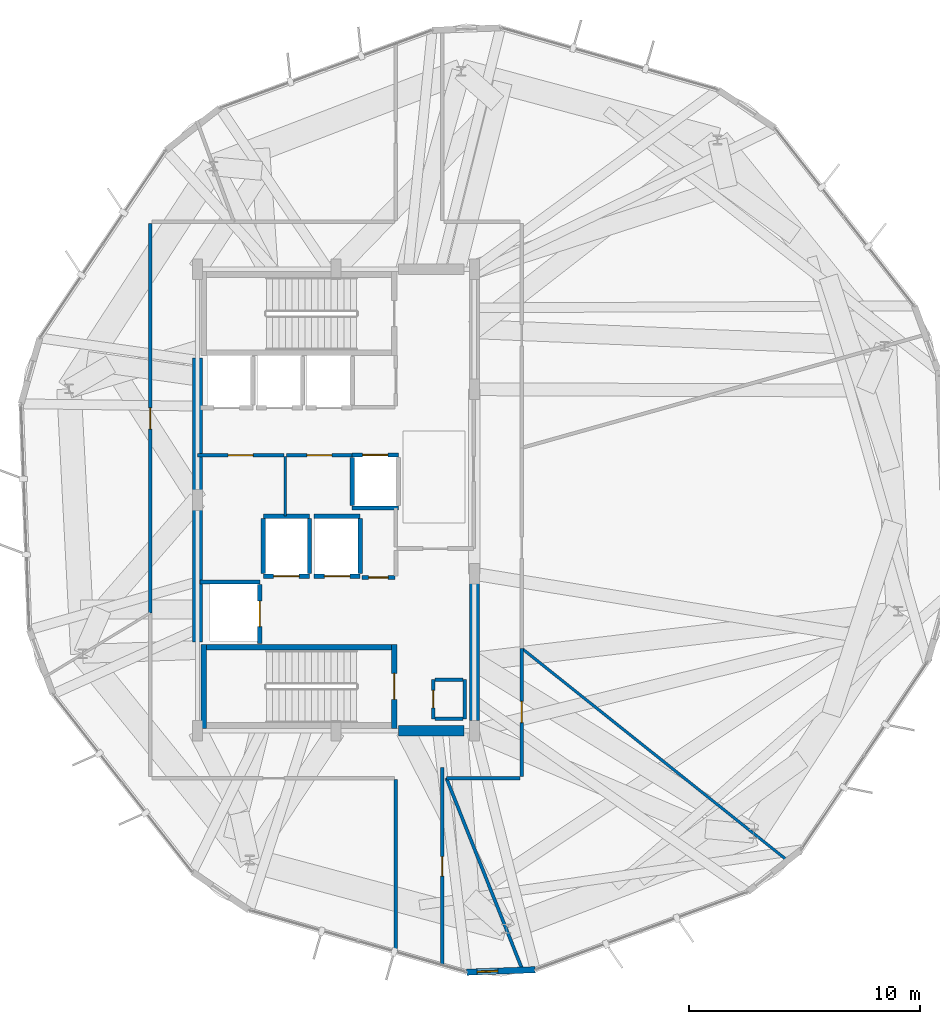
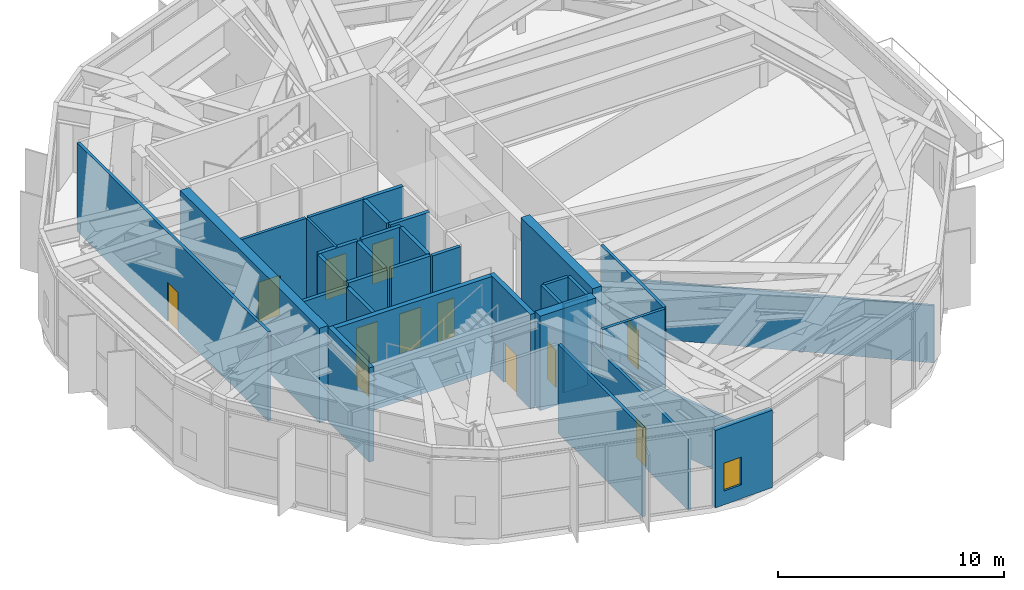
# One storey, part 25 of 30: 34 walls, 12 doors, 1 window, 13 openings.
"""IFC4 building model written with IfcOpenShell, lengths in metres."""

from ifc_helpers import new_model, si_unit, direction, frame, frame_2d, origin, place, context, subcontext, project, spatial, rectangle, extrude, material, layer, layer_set, type_object, element, fill, save


model = new_model("IFC4")

# Units and contexts
model_context = context("Model", 3, precision=1e-05, world=origin(), true_north=direction((0.0, 1.0)))
body_context = subcontext(model_context, "Body", "Model", "MODEL_VIEW")
ifc_project = project(units=[si_unit("LENGTHUNIT", "METRE"), si_unit("AREAUNIT", "SQUARE_METRE"), si_unit("VOLUMEUNIT", "CUBIC_METRE"), si_unit("PLANEANGLEUNIT", "RADIAN"), si_unit("MASSUNIT", "GRAM", prefix="KILO")], contexts=[model_context])

# Site, building, storey
site_placement = place(None, origin())
site = spatial("IfcSite", under=ifc_project, at=site_placement, CompositionType="ELEMENT")
building_placement = place(site_placement, origin())
building = spatial("IfcBuilding", under=site, at=building_placement, Name="Soratama Intermodal Tower", CompositionType="ELEMENT")
storey_placement = place(building_placement, frame((0.0, 0.0, 237.39990234375)))
storey = spatial("IfcBuildingStorey", under=building, at=storey_placement, Name="L60", CompositionType="ELEMENT", Elevation=237.39990234375)

# Wall, opening, window
ifc_material_1 = material(Name="Concrete f'c 42 MPa", Category="concrete")
ifc_layer_1 = layer(ifc_material_1, 0.27001953125)
ifc_layer_set_1 = layer_set([ifc_layer_1], Name="Concrete f'c 42 MPa")
wall_type_1 = type_object("IfcWallType", Name="EW-CRN-270", PredefinedType="SOLIDWALL", material=ifc_layer_set_1)
wall_1_placement = place(storey_placement, frame((44.265869140625, 4.541259765625, 0.0), z_axis=(0.0, 0.0, 1.0), x_axis=(0.999329187927, 0.036622044686, 0.0)))
wall_1 = element("IfcWall", 1, at=wall_1_placement, inside=storey, type_object=wall_type_1, Name="L60 Corner Closure Wall 06", PredefinedType="SOLIDWALL", context=body_context, shape_type="SweptSolid", body=[
    extrude(rectangle(XDim=2.966552734375, YDim=0.27001953125, at=frame_2d((1.4833984375, 0.0))), origin(), (0.0, 0.0, 1.0), 4.17919921875),
])
opening_1_placement = place(wall_1_placement, frame((0.449951171875, 0.0, 0.75)))
opening_1 = element("IfcOpeningElement", 2, at=opening_1_placement, cuts=wall_1, Name="Opening WN-6", PredefinedType="OPENING", context=body_context, shape_type="SweptSolid", body=[
    extrude(rectangle(XDim=0.89990234375, YDim=1.5, at=frame_2d((0.449951171875, 0.75))), frame((0.0, 0.14501953125, 0.0), z_axis=(0.0, -1.0, 0.0), x_axis=(1.0, 0.0, 0.0)), (0.0, 0.0, 1.0), 0.2900390625),
])
ifc_material_2 = material(Name="Double-glazed aluminium window", Category="aluminium")
window_type = type_object("IfcWindowType", Name="WN-FAC-900", PartitioningType="SINGLE_PANEL", PredefinedType="WINDOW", material=ifc_material_2)
window_placement = place(opening_1_placement, origin())
window = element("IfcWindow", 3, at=window_placement, inside=storey, type_object=window_type, Name="L60 Corner Window 06", OverallHeight=1.5, OverallWidth=0.89990234375, PartitioningType="SINGLE_PANEL", PredefinedType="WINDOW", context=body_context, shape_type="SweptSolid", body=[
    extrude(rectangle(XDim=0.89990234375, YDim=1.5, at=frame_2d((0.449951171875, 0.75))), frame((0.0, 0.030029296875, 0.0), z_axis=(0.0, -1.0, 0.0), x_axis=(1.0, 0.0, 0.0)), (0.0, 0.0, 1.0), 0.06005859375),
])
fill(opening_1, window)

# Walls
ifc_material_3 = material(Name="Fire-rated gypsum stud partition", Category="concrete")
ifc_layer_2 = layer(ifc_material_3, 0.14990234375)
ifc_layer_set_2 = layer_set([ifc_layer_2], Name="Fire-rated gypsum stud partition")
wall_type_2 = type_object("IfcWallType", Name="IW-PART-R150", PredefinedType="PARTITIONING", material=ifc_layer_set_2)
for number, where, z_axis, x_axis, name in (
    (4, (42.89990234375, 15.52001953125, 0.0), (0.0, 0.0, 1.0), (1.0, 0.0, 0.0), "L60 Riser Wall S"),
    (5, (42.89990234375, 17.219970703125, 0.0), (0.0, 0.0, 1.0), (1.0, 0.0, 0.0), "L60 Riser Wall N"),
):
    element("IfcWall", number, at=place(storey_placement, frame(where, z_axis=z_axis, x_axis=x_axis)), inside=storey, type_object=wall_type_2, Name=name, PredefinedType="PARTITIONING", context=body_context, shape_type="SweptSolid", body=[
        extrude(rectangle(XDim=1.2001953125, YDim=0.14990234375, at=frame_2d((0.60009765625, 0.0))), origin(), (0.0, 0.0, 1.0), 4.800048828125),
    ])
wall_2_placement = place(storey_placement, frame((44.179931640625, 15.52001953125, 0.0), z_axis=(0.0, 0.0, 1.0), x_axis=(0.0, 1.0, 0.0)))
element("IfcWall", 6, at=wall_2_placement, inside=storey, type_object=wall_type_2, Name="L60 Riser Wall E", PredefinedType="PARTITIONING", context=body_context, shape_type="SweptSolid", body=[
    extrude(rectangle(XDim=1.699951171875, YDim=0.14990234375, at=frame_2d((0.85009765625, 0.0))), origin(), (0.0, 0.0, 1.0), 4.800048828125),
])

# Wall, opening, door
wall_3_placement = place(storey_placement, frame((42.820068359375, 15.52001953125, 0.0), z_axis=(0.0, 0.0, 1.0), x_axis=(0.0, 1.0, 0.0)))
wall_3 = element("IfcWall", 7, at=wall_3_placement, inside=storey, type_object=wall_type_2, Name="L60 Riser Front Wall", PredefinedType="PARTITIONING", context=body_context, shape_type="SweptSolid", body=[
    extrude(rectangle(XDim=1.699951171875, YDim=0.14990234375, at=frame_2d((0.85009765625, 0.0))), origin(), (0.0, 0.0, 1.0), 4.800048828125),
])
opening_2_placement = place(wall_3_placement, frame((0.469970703125, 0.0, 0.0)))
opening_2 = element("IfcOpeningElement", 8, at=opening_2_placement, cuts=wall_3, Name="Opening TD-1", PredefinedType="OPENING", context=body_context, shape_type="SweptSolid", body=[
    extrude(rectangle(XDim=0.760009765625, YDim=2.0, at=frame_2d((0.3798828125, 1.0))), frame((0.0, 0.0849609375, 0.0), z_axis=(0.0, -1.0, 0.0), x_axis=(1.0, 0.0, 0.0)), (0.0, 0.0, 1.0), 0.169921875),
])
ifc_material_4 = material(Name="Steel fire door", Category="steel")
door_type_1 = type_object("IfcDoorType", Name="DR-RISER-TRAP", OperationType="NOTDEFINED", PredefinedType="TRAPDOOR", material=ifc_material_4)
door_1_placement = place(opening_2_placement, origin())
door_1 = element("IfcDoor", 9, at=door_1_placement, inside=storey, type_object=door_type_1, Name="L60 Riser Inspection Door", OperationType="SINGLE_SWING_LEFT", OverallHeight=2.0, OverallWidth=0.760009765625, PredefinedType="TRAPDOOR", context=body_context, shape_type="SweptSolid", body=[
    extrude(rectangle(XDim=0.760009765625, YDim=2.0, at=frame_2d((0.3798828125, 1.0))), frame((0.0, 0.02490234375, 0.0), z_axis=(0.0, -1.0, 0.0), x_axis=(1.0, 0.0, 0.0)), (0.0, 0.0, 1.0), 0.050048828125),
])
fill(opening_2, door_1)

wall_4_placement = place(storey_placement, frame((30.550048828125, 20.10595703125, 0.0), z_axis=(0.0, 0.0, 1.0), x_axis=(0.0, 1.0, 0.0)))
wall_4 = element("IfcWall", 10, at=wall_4_placement, inside=storey, type_object=wall_type_2, Name="L60 Partition W-L60-TP002", PredefinedType="PARTITIONING", context=body_context, shape_type="SweptSolid", body=[
    extrude(rectangle(XDim=16.8740234375, YDim=0.14990234375, at=frame_2d((8.43701171875, 0.0))), origin(), (0.0, 0.0, 1.0), 4.800048828125),
])
opening_3_placement = place(wall_4_placement, frame((7.9619140625, 0.0, 0.0)))
opening_3 = element("IfcOpeningElement", 11, at=opening_3_placement, cuts=wall_4, Name="Opening ID-6", PredefinedType="OPENING", context=body_context, shape_type="SweptSolid", body=[
    extrude(rectangle(XDim=0.919921875, YDim=2.1201171875, at=frame_2d((0.4599609375, 1.06005859375))), frame((0.0, 0.0849609375, 0.0), z_axis=(0.0, -1.0, 0.0), x_axis=(1.0, 0.0, 0.0)), (0.0, 0.0, 1.0), 0.169921875),
])
ifc_material_5 = material(Name="Solid hardwood acoustic door", Category="wood")
door_type_2 = type_object("IfcDoorType", Name="DR-ROOM-920", OperationType="NOTDEFINED", PredefinedType="DOOR", material=ifc_material_5)
door_2_placement = place(opening_3_placement, origin())
door_2 = element("IfcDoor", 12, at=door_2_placement, inside=storey, type_object=door_type_2, Name="L60 Door D-L60-TP001", OperationType="SINGLE_SWING_RIGHT", OverallHeight=2.1201171875, OverallWidth=0.919921875, PredefinedType="DOOR", context=body_context, shape_type="SweptSolid", body=[
    extrude(rectangle(XDim=0.919921875, YDim=2.1201171875, at=frame_2d((0.4599609375, 1.06005859375))), frame((0.0, 0.02490234375, 0.0), z_axis=(0.0, -1.0, 0.0), x_axis=(1.0, 0.0, 0.0)), (0.0, 0.0, 1.0), 0.050048828125),
])
fill(opening_3, door_2)

# Wall
wall_5_placement = place(storey_placement, frame((41.199951171875, 5.4150390625, 0.0), z_axis=(0.0, 0.0, 1.0), x_axis=(0.0, 1.0, 0.0)))
element("IfcWall", 13, at=wall_5_placement, inside=storey, type_object=wall_type_2, Name="L60 Partition W-L60-TP010", PredefinedType="PARTITIONING", context=body_context, shape_type="SweptSolid", body=[
    extrude(rectangle(XDim=7.46484375, YDim=0.14990234375, at=frame_2d((3.732421875, 0.0))), origin(), (0.0, 0.0, 1.0), 4.800048828125),
])

# Wall, opening, door
wall_6_placement = place(storey_placement, frame((46.64990234375, 18.572998046875, 0.0), z_axis=(0.0, 0.0, 1.0), x_axis=(0.0, -1.0, 0.0)))
wall_6 = element("IfcWall", 14, at=wall_6_placement, inside=storey, type_object=wall_type_2, Name="L60 Partition W-L60-TP014", PredefinedType="PARTITIONING", context=body_context, shape_type="SweptSolid", body=[
    extrude(rectangle(XDim=5.552978515625, YDim=0.14990234375, at=frame_2d((2.7763671875, 0.0))), origin(), (0.0, 0.0, 1.0), 4.800048828125),
])
opening_4_placement = place(wall_6_placement, frame((2.302001953125, 0.0, 0.0)))
opening_4 = element("IfcOpeningElement", 15, at=opening_4_placement, cuts=wall_6, Name="Opening ID-6", PredefinedType="OPENING", context=body_context, shape_type="SweptSolid", body=[
    extrude(rectangle(XDim=0.919921875, YDim=2.1201171875, at=frame_2d((0.4599609375, 1.06005859375))), frame((0.0, 0.0849609375, 0.0), z_axis=(0.0, -1.0, 0.0), x_axis=(1.0, 0.0, 0.0)), (0.0, 0.0, 1.0), 0.169921875),
])
door_3_placement = place(opening_4_placement, origin())
door_3 = element("IfcDoor", 16, at=door_3_placement, inside=storey, type_object=door_type_2, Name="L60 Door D-L60-TP007", OperationType="SINGLE_SWING_RIGHT", OverallHeight=2.1201171875, OverallWidth=0.919921875, PredefinedType="DOOR", context=body_context, shape_type="SweptSolid", body=[
    extrude(rectangle(XDim=0.919921875, YDim=2.1201171875, at=frame_2d((0.4599609375, 1.06005859375))), frame((0.0, 0.02490234375, 0.0), z_axis=(0.0, -1.0, 0.0), x_axis=(1.0, 0.0, 0.0)), (0.0, 0.0, 1.0), 0.050048828125),
])
fill(opening_4, door_3)

wall_7_placement = place(storey_placement, frame((36.340087890625, 26.93994140625, 0.0), z_axis=(0.0, 0.0, 1.0), x_axis=(-1.0, 0.0, 0.0)))
wall_7 = element("IfcWall", 17, at=wall_7_placement, inside=storey, type_object=wall_type_2, Name="L60 Partition W-L60-TP017", PredefinedType="PARTITIONING", context=body_context, shape_type="SweptSolid", body=[
    extrude(rectangle(XDim=3.739990234375, YDim=0.14990234375, at=frame_2d((1.8701171875, 0.0))), origin(), (0.0, 0.0, 1.0), 4.800048828125),
])
opening_5_placement = place(wall_7_placement, frame((1.330078125, 0.0, 0.0)))
opening_5 = element("IfcOpeningElement", 18, at=opening_5_placement, cuts=wall_7, Name="Opening ID-1", PredefinedType="OPENING", context=body_context, shape_type="SweptSolid", body=[
    extrude(rectangle(XDim=1.080078125, YDim=2.14990234375, at=frame_2d((0.5400390625, 1.074951171875))), frame((0.0, 0.0849609375, 0.0), z_axis=(0.0, -1.0, 0.0), x_axis=(1.0, 0.0, 0.0)), (0.0, 0.0, 1.0), 0.169921875),
])
ifc_material_6 = material(Name="Solid hardwood acoustic door", Category="wood")
door_type_3 = type_object("IfcDoorType", Name="DR-LOB-FD60", OperationType="NOTDEFINED", PredefinedType="DOOR", material=ifc_material_6)
door_4_placement = place(opening_5_placement, origin())
door_4 = element("IfcDoor", 19, at=door_4_placement, inside=storey, type_object=door_type_3, Name="L60 Door D-L60-TP008", OperationType="SINGLE_SWING_LEFT", OverallHeight=2.14990234375, OverallWidth=1.080078125, PredefinedType="DOOR", context=body_context, shape_type="SweptSolid", body=[
    extrude(rectangle(XDim=1.080078125, YDim=2.14990234375, at=frame_2d((0.5400390625, 1.074951171875))), frame((0.0, 0.02490234375, 0.0), z_axis=(0.0, -1.0, 0.0), x_axis=(1.0, 0.0, 0.0)), (0.0, 0.0, 1.0), 0.050048828125),
])
fill(opening_5, door_4)

# Wall
wall_8_placement = place(storey_placement, frame((46.580078125, 12.949951171875, 0.0), z_axis=(0.0, 0.0, 1.0), x_axis=(-1.0, 0.0, 0.0)))
element("IfcWall", 20, at=wall_8_placement, inside=storey, type_object=wall_type_2, Name="L60 Partition W-L60-TP021", PredefinedType="PARTITIONING", context=body_context, shape_type="SweptSolid", body=[
    extrude(rectangle(XDim=3.197021484375, YDim=0.14990234375, at=frame_2d((1.5986328125, 0.0))), origin(), (0.0, 0.0, 1.0), 4.800048828125),
])

# Wall, opening, door
wall_9_placement = place(storey_placement, frame((39.300048828125, 26.93994140625, 0.0), z_axis=(0.0, 0.0, 1.0), x_axis=(-1.0, 0.0, 0.0)))
wall_9 = element("IfcWall", 21, at=wall_9_placement, inside=storey, type_object=wall_type_2, Name="L60 Partition W-L60-TP022", PredefinedType="PARTITIONING", context=body_context, shape_type="SweptSolid", body=[
    extrude(rectangle(XDim=2.840087890625, YDim=0.14990234375, at=frame_2d((1.419921875, 0.0))), origin(), (0.0, 0.0, 1.0), 4.800048828125),
])
opening_6_placement = place(wall_9_placement, frame((0.8798828125, 0.0, 0.0)))
opening_6 = element("IfcOpeningElement", 22, at=opening_6_placement, cuts=wall_9, Name="Opening ID-1", PredefinedType="OPENING", context=body_context, shape_type="SweptSolid", body=[
    extrude(rectangle(XDim=1.080078125, YDim=2.14990234375, at=frame_2d((0.5400390625, 1.074951171875))), frame((0.0, 0.0849609375, 0.0), z_axis=(0.0, -1.0, 0.0), x_axis=(1.0, 0.0, 0.0)), (0.0, 0.0, 1.0), 0.169921875),
])
door_5_placement = place(opening_6_placement, origin())
door_5 = element("IfcDoor", 23, at=door_5_placement, inside=storey, type_object=door_type_3, Name="L60 Door D-L60-TP010", OperationType="SINGLE_SWING_LEFT", OverallHeight=2.14990234375, OverallWidth=1.080078125, PredefinedType="DOOR", context=body_context, shape_type="SweptSolid", body=[
    extrude(rectangle(XDim=1.080078125, YDim=2.14990234375, at=frame_2d((0.5400390625, 1.074951171875))), frame((0.0, 0.02490234375, 0.0), z_axis=(0.0, -1.0, 0.0), x_axis=(1.0, 0.0, 0.0)), (0.0, 0.0, 1.0), 0.050048828125),
])
fill(opening_6, door_5)

wall_10_placement = place(storey_placement, frame((43.199951171875, 13.410888671875, 0.0), z_axis=(0.0, 0.0, 1.0), x_axis=(0.0, -1.0, 0.0)))
wall_10 = element("IfcWall", 24, at=wall_10_placement, inside=storey, type_object=wall_type_2, Name="L60 Partition W-L60-TP029", PredefinedType="PARTITIONING", context=body_context, shape_type="SweptSolid", body=[
    extrude(rectangle(XDim=8.56591796875, YDim=0.14990234375, at=frame_2d((4.282958984375, 0.0))), origin(), (0.0, 0.0, 1.0), 3.85107421875),
])
opening_7_placement = place(wall_10_placement, frame((3.85791015625, 0.0, 0.0)))
opening_7 = element("IfcOpeningElement", 25, at=opening_7_placement, cuts=wall_10, Name="Opening ID-4", PredefinedType="OPENING", context=body_context, shape_type="SweptSolid", body=[
    extrude(rectangle(XDim=0.85009765625, YDim=2.10009765625, at=frame_2d((0.425048828125, 1.050048828125))), frame((0.0, 0.0849609375, 0.0), z_axis=(0.0, -1.0, 0.0), x_axis=(1.0, 0.0, 0.0)), (0.0, 0.0, 1.0), 0.169921875),
])
ifc_material_7 = material(Name="Solid hardwood acoustic door", Category="wood")
door_type_4 = type_object("IfcDoorType", Name="DR-BATH-850", OperationType="NOTDEFINED", PredefinedType="DOOR", material=ifc_material_7)
door_6_placement = place(opening_7_placement, origin())
door_6 = element("IfcDoor", 26, at=door_6_placement, inside=storey, type_object=door_type_4, Name="L60 Door D-L60-TP013", OperationType="SINGLE_SWING_LEFT", OverallHeight=2.10009765625, OverallWidth=0.85009765625, PredefinedType="DOOR", context=body_context, shape_type="SweptSolid", body=[
    extrude(rectangle(XDim=0.85009765625, YDim=2.10009765625, at=frame_2d((0.425048828125, 1.050048828125))), frame((0.0, 0.02490234375, 0.0), z_axis=(0.0, -1.0, 0.0), x_axis=(1.0, 0.0, 0.0)), (0.0, 0.0, 1.0), 0.050048828125),
])
fill(opening_7, door_6)

ifc_material_8 = material(Name="Fire-rated gypsum stud partition", Category="concrete")
ifc_layer_3 = layer(ifc_material_8, 0.169921875)
ifc_layer_set_3 = layer_set([ifc_layer_3], Name="Fire-rated gypsum stud partition")
wall_type_3 = type_object("IfcWallType", Name="IW-PART-R170", PredefinedType="PARTITIONING", material=ifc_layer_set_3)
wall_11_placement = place(storey_placement, frame((39.719970703125, 21.639892578125, 0.0), z_axis=(0.0, 0.0, 1.0), x_axis=(1.0, 0.0, 0.0)))
wall_11 = element("IfcWall", 27, at=wall_11_placement, inside=storey, type_object=wall_type_3, Name="L60 Partition W-L60-TP027", PredefinedType="PARTITIONING", context=body_context, shape_type="SweptSolid", body=[
    extrude(rectangle(XDim=1.43994140625, YDim=0.169921875, at=frame_2d((0.719970703125, 0.0))), origin(), (0.0, 0.0, 1.0), 4.800048828125),
])
opening_8_placement = place(wall_11_placement, frame((0.294921875, 0.0, 0.0)))
opening_8 = element("IfcOpeningElement", 28, at=opening_8_placement, cuts=wall_11, Name="Opening ID-4", PredefinedType="OPENING", context=body_context, shape_type="SweptSolid", body=[
    extrude(rectangle(XDim=0.85009765625, YDim=2.10009765625, at=frame_2d((0.425048828125, 1.050048828125))), frame((0.0, 0.094970703125, 0.0), z_axis=(0.0, -1.0, 0.0), x_axis=(1.0, 0.0, 0.0)), (0.0, 0.0, 1.0), 0.18994140625),
])
door_7_placement = place(opening_8_placement, origin())
door_7 = element("IfcDoor", 29, at=door_7_placement, inside=storey, type_object=door_type_4, Name="L60 Door D-L60-TP012", OperationType="SINGLE_SWING_LEFT", OverallHeight=2.10009765625, OverallWidth=0.85009765625, PredefinedType="DOOR", context=body_context, shape_type="SweptSolid", body=[
    extrude(rectangle(XDim=0.85009765625, YDim=2.10009765625, at=frame_2d((0.425048828125, 1.050048828125))), frame((0.0, 0.02490234375, 0.0), z_axis=(0.0, -1.0, 0.0), x_axis=(1.0, 0.0, 0.0)), (0.0, 0.0, 1.0), 0.050048828125),
])
fill(opening_8, door_7)

# Walls
ifc_material_9 = material(Name="Fire-rated gypsum stud partition", Category="concrete")
ifc_layer_4 = layer(ifc_material_9, 0.1201171875)
ifc_layer_set_4 = layer_set([ifc_layer_4], Name="Fire-rated gypsum stud partition")
wall_type_4 = type_object("IfcWallType", Name="IW-PART-S120", PredefinedType="PARTITIONING", material=ifc_layer_set_4)
wall_12_placement = place(storey_placement, frame((46.64990234375, 18.572998046875, 0.0), z_axis=(0.0, 0.0, 1.0), x_axis=(0.781461641281, -0.623953286078, 0.0)))
element("IfcWall", 30, at=wall_12_placement, inside=storey, type_object=wall_type_4, Name="L60 Partition W-L60-TP003", PredefinedType="PARTITIONING", context=body_context, shape_type="SweptSolid", body=[
    extrude(rectangle(XDim=14.85693359375, YDim=0.1201171875, at=frame_2d((7.428466796875, 0.0))), origin(), (0.0, 0.0, 1.0), 3.090087890625),
])
wall_13_placement = place(storey_placement, frame((36.39990234375, 26.8798828125, 0.0), z_axis=(0.0, 0.0, 1.0), x_axis=(0.0, -1.0, 0.0)))
element("IfcWall", 31, at=wall_13_placement, inside=storey, type_object=wall_type_4, Name="L60 Partition W-L60-TP023", PredefinedType="PARTITIONING", context=body_context, shape_type="SweptSolid", body=[
    extrude(rectangle(XDim=2.579833984375, YDim=0.1201171875, at=frame_2d((1.2900390625, 0.0))), origin(), (0.0, 0.0, 1.0), 4.800048828125),
])
ifc_material_10 = material(Name="Fire-rated gypsum stud partition", Category="concrete")
ifc_layer_5 = layer(ifc_material_10, 0.139892578125)
ifc_layer_set_5 = layer_set([ifc_layer_5], Name="Fire-rated gypsum stud partition")
wall_type_5 = type_object("IfcWallType", Name="IW-PART-S140", PredefinedType="PARTITIONING", material=ifc_layer_set_5)
wall_14_placement = place(storey_placement, frame((43.383056640625, 12.949951171875, 0.0), z_axis=(0.0, 0.0, 1.0), x_axis=(0.368967753702, -0.92944219655, 0.0)))
element("IfcWall", 32, at=wall_14_placement, inside=storey, type_object=wall_type_5, Name="L60 Partition W-L60-TP006", PredefinedType="PARTITIONING", context=body_context, shape_type="SweptSolid", body=[
    extrude(rectangle(XDim=9.03857421875, YDim=0.139892578125, at=frame_2d((4.519287109375, 0.0))), origin(), (0.0, 0.0, 1.0), 3.090087890625),
])

# Wall, opening, door
ifc_material_11 = material(Name="Concrete f'c 42 MPa", Category="concrete")
ifc_layer_6 = layer(ifc_material_11, 0.18505859375)
ifc_layer_set_6 = layer_set([ifc_layer_6], Name="Concrete f'c 42 MPa")
wall_type_6 = type_object("IfcWallType", Name="IW-SHAFT-185", PredefinedType="SOLIDWALL", material=ifc_layer_set_6)
wall_15_placement = place(storey_placement, frame((35.449951171875, 21.699951171875, 0.0), z_axis=(0.0, 0.0, 1.0), x_axis=(1.0, 0.0, 0.0)))
wall_15 = element("IfcWall", 33, at=wall_15_placement, inside=storey, type_object=wall_type_6, Name="L60 FFL-1 Hoistway Wall S", PredefinedType="SOLIDWALL", context=body_context, shape_type="SweptSolid", body=[
    extrude(rectangle(XDim=2.0, YDim=0.18505859375, at=frame_2d((1.0, 0.0))), origin(), (0.0, 0.0, 1.0), 4.800048828125),
])
opening_9_placement = place(wall_15_placement, frame((0.449951171875, 0.0, 0.0)))
opening_9 = element("IfcOpeningElement", 34, at=opening_9_placement, cuts=wall_15, Name="Opening LD-1", PredefinedType="OPENING", context=body_context, shape_type="SweptSolid", body=[
    extrude(rectangle(XDim=1.10009765625, YDim=2.14990234375, at=frame_2d((0.550048828125, 1.074951171875))), frame((0.0, 0.1025390625, 0.0), z_axis=(0.0, -1.0, 0.0), x_axis=(1.0, 0.0, 0.0)), (0.0, 0.0, 1.0), 0.205078125),
])
ifc_material_12 = material(Name="Steel fire door", Category="steel")
door_type_5 = type_object("IfcDoorType", Name="DR-LIFT-SLIDE", OperationType="NOTDEFINED", PredefinedType="DOOR", material=ifc_material_12)
door_8_placement = place(opening_9_placement, origin())
door_8 = element("IfcDoor", 35, at=door_8_placement, inside=storey, type_object=door_type_5, Name="L60 FFL-1 Sliding Landing Door", OperationType="SLIDING_TO_LEFT", OverallHeight=2.14990234375, OverallWidth=1.10009765625, PredefinedType="DOOR", context=body_context, shape_type="SweptSolid", body=[
    extrude(rectangle(XDim=1.10009765625, YDim=2.14990234375, at=frame_2d((0.550048828125, 1.074951171875))), frame((0.0, 0.02490234375, 0.0), z_axis=(0.0, -1.0, 0.0), x_axis=(1.0, 0.0, 0.0)), (0.0, 0.0, 1.0), 0.050048828125),
])
fill(opening_9, door_8)

# Walls
wall_16_placement = place(storey_placement, frame((35.449951171875, 24.300048828125, 0.0), z_axis=(0.0, 0.0, 1.0), x_axis=(1.0, 0.0, 0.0)))
element("IfcWall", 36, at=wall_16_placement, inside=storey, type_object=wall_type_6, Name="L60 FFL-1 Hoistway Wall N", PredefinedType="SOLIDWALL", context=body_context, shape_type="SweptSolid", body=[
    extrude(rectangle(XDim=2.0, YDim=0.18505859375, at=frame_2d((1.0, 0.0))), origin(), (0.0, 0.0, 1.0), 4.800048828125),
])
for number, where, z_axis, x_axis, name in (
    (37, (35.449951171875, 21.81005859375, 0.0), (0.0, 0.0, 1.0), (0.0, 1.0, 0.0), "L60 FFL-1 Hoistway Wall W"),
    (38, (37.449951171875, 21.81005859375, 0.0), (0.0, 0.0, 1.0), (0.0, 1.0, 0.0), "L60 FFL-1 Hoistway Wall E"),
):
    element("IfcWall", number, at=place(storey_placement, frame(where, z_axis=z_axis, x_axis=x_axis)), inside=storey, type_object=wall_type_6, Name=name, PredefinedType="SOLIDWALL", context=body_context, shape_type="SweptSolid", body=[
        extrude(rectangle(XDim=2.3798828125, YDim=0.18505859375, at=frame_2d((1.18994140625, 0.0))), origin(), (0.0, 0.0, 1.0), 4.800048828125),
    ])

# Wall, opening, door
wall_17_placement = place(storey_placement, frame((37.64990234375, 21.699951171875, 0.0), z_axis=(0.0, 0.0, 1.0), x_axis=(1.0, 0.0, 0.0)))
wall_17 = element("IfcWall", 39, at=wall_17_placement, inside=storey, type_object=wall_type_6, Name="L60 FFL-2 Hoistway Wall S", PredefinedType="SOLIDWALL", context=body_context, shape_type="SweptSolid", body=[
    extrude(rectangle(XDim=2.0, YDim=0.18505859375, at=frame_2d((1.0, 0.0))), origin(), (0.0, 0.0, 1.0), 4.800048828125),
])
opening_10_placement = place(wall_17_placement, frame((0.449951171875, 0.0, 0.0)))
opening_10 = element("IfcOpeningElement", 40, at=opening_10_placement, cuts=wall_17, Name="Opening LD-1", PredefinedType="OPENING", context=body_context, shape_type="SweptSolid", body=[
    extrude(rectangle(XDim=1.10009765625, YDim=2.14990234375, at=frame_2d((0.550048828125, 1.074951171875))), frame((0.0, 0.1025390625, 0.0), z_axis=(0.0, -1.0, 0.0), x_axis=(1.0, 0.0, 0.0)), (0.0, 0.0, 1.0), 0.205078125),
])
door_9_placement = place(opening_10_placement, origin())
door_9 = element("IfcDoor", 41, at=door_9_placement, inside=storey, type_object=door_type_5, Name="L60 FFL-2 Sliding Landing Door", OperationType="SLIDING_TO_LEFT", OverallHeight=2.14990234375, OverallWidth=1.10009765625, PredefinedType="DOOR", context=body_context, shape_type="SweptSolid", body=[
    extrude(rectangle(XDim=1.10009765625, YDim=2.14990234375, at=frame_2d((0.550048828125, 1.074951171875))), frame((0.0, 0.02490234375, 0.0), z_axis=(0.0, -1.0, 0.0), x_axis=(1.0, 0.0, 0.0)), (0.0, 0.0, 1.0), 0.050048828125),
])
fill(opening_10, door_9)

# Walls
wall_18_placement = place(storey_placement, frame((37.64990234375, 24.300048828125, 0.0), z_axis=(0.0, 0.0, 1.0), x_axis=(1.0, 0.0, 0.0)))
element("IfcWall", 42, at=wall_18_placement, inside=storey, type_object=wall_type_6, Name="L60 FFL-2 Hoistway Wall N", PredefinedType="SOLIDWALL", context=body_context, shape_type="SweptSolid", body=[
    extrude(rectangle(XDim=2.0, YDim=0.18505859375, at=frame_2d((1.0, 0.0))), origin(), (0.0, 0.0, 1.0), 4.800048828125),
])
wall_19_placement = place(storey_placement, frame((39.64990234375, 21.81005859375, 0.0), z_axis=(0.0, 0.0, 1.0), x_axis=(0.0, 1.0, 0.0)))
element("IfcWall", 43, at=wall_19_placement, inside=storey, type_object=wall_type_6, Name="L60 FFL-2 Hoistway Wall E", PredefinedType="SOLIDWALL", context=body_context, shape_type="SweptSolid", body=[
    extrude(rectangle(XDim=2.3798828125, YDim=0.18505859375, at=frame_2d((1.18994140625, 0.0))), origin(), (0.0, 0.0, 1.0), 4.800048828125),
])
wall_20_placement = place(storey_placement, frame((32.719970703125, 21.449951171875, 0.0), z_axis=(0.0, 0.0, 1.0), x_axis=(1.0, 0.0, 0.0)))
element("IfcWall", 44, at=wall_20_placement, inside=storey, type_object=wall_type_6, Name="L60 SVL-1 Hoistway Wall N", PredefinedType="SOLIDWALL", context=body_context, shape_type="SweptSolid", body=[
    extrude(rectangle(XDim=2.580078125, YDim=0.18505859375, at=frame_2d((1.2900390625, 0.0))), origin(), (0.0, 0.0, 1.0), 4.800048828125),
])

# Wall, opening, door
wall_21_placement = place(storey_placement, frame((35.300048828125, 18.7900390625, 0.0), z_axis=(0.0, 0.0, 1.0), x_axis=(0.0, 1.0, 0.0)))
wall_21 = element("IfcWall", 45, at=wall_21_placement, inside=storey, type_object=wall_type_6, Name="L60 SVL-1 Hoistway Wall E", PredefinedType="SOLIDWALL", context=body_context, shape_type="SweptSolid", body=[
    extrude(rectangle(XDim=2.550048828125, YDim=0.18505859375, at=frame_2d((1.27490234375, 0.0))), origin(), (0.0, 0.0, 1.0), 4.800048828125),
])
opening_11_placement = place(wall_21_placement, frame((0.72509765625, 0.0, 0.0)))
opening_11 = element("IfcOpeningElement", 46, at=opening_11_placement, cuts=wall_21, Name="Opening LD-1", PredefinedType="OPENING", context=body_context, shape_type="SweptSolid", body=[
    extrude(rectangle(XDim=1.10009765625, YDim=2.14990234375, at=frame_2d((0.550048828125, 1.074951171875))), frame((0.0, 0.1025390625, 0.0), z_axis=(0.0, -1.0, 0.0), x_axis=(1.0, 0.0, 0.0)), (0.0, 0.0, 1.0), 0.205078125),
])
door_10_placement = place(opening_11_placement, origin())
door_10 = element("IfcDoor", 47, at=door_10_placement, inside=storey, type_object=door_type_5, Name="L60 SVL-1 Sliding Landing Door", OperationType="SLIDING_TO_LEFT", OverallHeight=2.14990234375, OverallWidth=1.10009765625, PredefinedType="DOOR", context=body_context, shape_type="SweptSolid", body=[
    extrude(rectangle(XDim=1.10009765625, YDim=2.14990234375, at=frame_2d((0.550048828125, 1.074951171875))), frame((0.0, 0.02490234375, 0.0), z_axis=(0.0, -1.0, 0.0), x_axis=(1.0, 0.0, 0.0)), (0.0, 0.0, 1.0), 0.050048828125),
])
fill(opening_11, door_10)

# Wall
wall_22_placement = place(storey_placement, frame((39.300048828125, 24.64990234375, 0.0), z_axis=(0.0, 0.0, 1.0), x_axis=(1.0, 0.0, 0.0)))
element("IfcWall", 48, at=wall_22_placement, inside=storey, type_object=wall_type_6, Name="L60 PL-M1 Hoistway Wall S", PredefinedType="SOLIDWALL", context=body_context, shape_type="SweptSolid", body=[
    extrude(rectangle(XDim=2.0, YDim=0.18505859375, at=frame_2d((1.0, 0.0))), origin(), (0.0, 0.0, 1.0), 4.800048828125),
])

# Wall, opening, door
wall_23_placement = place(storey_placement, frame((39.300048828125, 26.949951171875, 0.0), z_axis=(0.0, 0.0, 1.0), x_axis=(1.0, 0.0, 0.0)))
wall_23 = element("IfcWall", 49, at=wall_23_placement, inside=storey, type_object=wall_type_6, Name="L60 PL-M1 Hoistway Wall N", PredefinedType="SOLIDWALL", context=body_context, shape_type="SweptSolid", body=[
    extrude(rectangle(XDim=2.0, YDim=0.18505859375, at=frame_2d((1.0, 0.0))), origin(), (0.0, 0.0, 1.0), 4.800048828125),
])
opening_12_placement = place(wall_23_placement, frame((0.449951171875, 0.0, 0.0)))
opening_12 = element("IfcOpeningElement", 50, at=opening_12_placement, cuts=wall_23, Name="Opening LD-1", PredefinedType="OPENING", context=body_context, shape_type="SweptSolid", body=[
    extrude(rectangle(XDim=1.10009765625, YDim=2.14990234375, at=frame_2d((0.550048828125, 1.074951171875))), frame((0.0, 0.1025390625, 0.0), z_axis=(0.0, -1.0, 0.0), x_axis=(1.0, 0.0, 0.0)), (0.0, 0.0, 1.0), 0.205078125),
])
door_11_placement = place(opening_12_placement, origin())
door_11 = element("IfcDoor", 51, at=door_11_placement, inside=storey, type_object=door_type_5, Name="L60 PL-M1 Sliding Landing Door", OperationType="SLIDING_TO_LEFT", OverallHeight=2.14990234375, OverallWidth=1.10009765625, PredefinedType="DOOR", context=body_context, shape_type="SweptSolid", body=[
    extrude(rectangle(XDim=1.10009765625, YDim=2.14990234375, at=frame_2d((0.550048828125, 1.074951171875))), frame((0.0, 0.02490234375, 0.0), z_axis=(0.0, -1.0, 0.0), x_axis=(1.0, 0.0, 0.0)), (0.0, 0.0, 1.0), 0.050048828125),
])
fill(opening_12, door_11)

# Walls
wall_24_placement = place(storey_placement, frame((39.300048828125, 24.760009765625, 0.0), z_axis=(0.0, 0.0, 1.0), x_axis=(0.0, 1.0, 0.0)))
element("IfcWall", 52, at=wall_24_placement, inside=storey, type_object=wall_type_6, Name="L60 PL-M1 Hoistway Wall W", PredefinedType="SOLIDWALL", context=body_context, shape_type="SweptSolid", body=[
    extrude(rectangle(XDim=2.080078125, YDim=0.18505859375, at=frame_2d((1.0400390625, 0.0))), origin(), (0.0, 0.0, 1.0), 4.800048828125),
])
ifc_material_13 = material(Name="Concrete f'c 56 MPa", Category="concrete")
ifc_layer_7 = layer(ifc_material_13, 0.449951171875)
ifc_layer_set_7 = layer_set([ifc_layer_7], Name="Concrete f'c 56 MPa")
wall_type_7 = type_object("IfcWallType", Name="SW-CORE-450", PredefinedType="SHEAR", material=ifc_layer_set_7)
wall_25_placement = place(storey_placement, frame((32.60009765625, 18.85009765625, 0.0), z_axis=(0.0, 0.0, 1.0), x_axis=(0.0, 1.0, 0.0)))
element("IfcWall", 53, at=wall_25_placement, inside=storey, type_object=wall_type_7, Name="L60 Core Shear Wall CW-WMID", PredefinedType="SHEAR", context=body_context, shape_type="SweptSolid", body=[
    extrude(rectangle(XDim=12.2998046875, YDim=0.449951171875, at=frame_2d((6.14990234375, 0.0))), origin(), (0.0, 0.0, 1.0), 5.10009765625),
])
wall_26_placement = place(storey_placement, frame((41.300048828125, 15.0, 0.0), z_axis=(0.0, 0.0, 1.0), x_axis=(1.0, 0.0, 0.0)))
element("IfcWall", 54, at=wall_26_placement, inside=storey, type_object=wall_type_7, Name="L60 Core Shear Wall CW-SE", PredefinedType="SHEAR", context=body_context, shape_type="SweptSolid", body=[
    extrude(rectangle(XDim=2.849853515625, YDim=0.449951171875, at=frame_2d((1.4248046875, 0.0))), origin(), (0.0, 0.0, 1.0), 5.10009765625),
])
wall_27_placement = place(storey_placement, frame((44.60009765625, 15.449951171875, 0.0), z_axis=(0.0, 0.0, 1.0), x_axis=(0.0, 1.0, 0.0)))
element("IfcWall", 55, at=wall_27_placement, inside=storey, type_object=wall_type_7, Name="L60 Core Shear Wall CW-ES", PredefinedType="SHEAR", context=body_context, shape_type="SweptSolid", body=[
    extrude(rectangle(XDim=6.35009765625, YDim=0.449951171875, at=frame_2d((3.175048828125, 0.0))), origin(), (0.0, 0.0, 1.0), 5.10009765625),
])
ifc_material_14 = material(Name="Concrete f'c 56 MPa", Category="concrete")
ifc_layer_8 = layer(ifc_material_14, 0.239990234375)
ifc_layer_set_8 = layer_set([ifc_layer_8], Name="Concrete f'c 56 MPa")
wall_type_8 = type_object("IfcWallType", Name="SW-STAIR-240", PredefinedType="SHEAR", material=ifc_layer_set_8)
wall_28_placement = place(storey_placement, frame((32.8798828125, 15.110107421875, 0.0), z_axis=(0.0, 0.0, 1.0), x_axis=(0.0, 1.0, 0.0)))
element("IfcWall", 56, at=wall_28_placement, inside=storey, type_object=wall_type_8, Name="L60 ST-1 Shaft Shear Wall W", PredefinedType="SHEAR", context=body_context, shape_type="SweptSolid", body=[
    extrude(rectangle(XDim=3.6298828125, YDim=0.239990234375, at=frame_2d((1.81494140625, 0.0))), origin(), (0.0, 0.0, 1.0), 5.10009765625),
])

# Wall, opening, door
wall_29_placement = place(storey_placement, frame((41.1201171875, 15.110107421875, 0.0), z_axis=(0.0, 0.0, 1.0), x_axis=(0.0, 1.0, 0.0)))
wall_29 = element("IfcWall", 57, at=wall_29_placement, inside=storey, type_object=wall_type_8, Name="L60 ST-1 Shaft Shear Wall E", PredefinedType="SHEAR", context=body_context, shape_type="SweptSolid", body=[
    extrude(rectangle(XDim=3.6298828125, YDim=0.239990234375, at=frame_2d((1.81494140625, 0.0))), origin(), (0.0, 0.0, 1.0), 5.10009765625),
])
opening_13_placement = place(wall_29_placement, frame((1.2548828125, 0.0, 0.0)))
opening_13 = element("IfcOpeningElement", 58, at=opening_13_placement, cuts=wall_29, Name="Opening SD-1", PredefinedType="OPENING", context=body_context, shape_type="SweptSolid", body=[
    extrude(rectangle(XDim=1.1201171875, YDim=2.14990234375, at=frame_2d((0.56005859375, 1.074951171875))), frame((0.0, 0.1298828125, 0.0), z_axis=(0.0, -1.0, 0.0), x_axis=(1.0, 0.0, 0.0)), (0.0, 0.0, 1.0), 0.260009765625),
])
ifc_material_15 = material(Name="Steel fire door", Category="steel")
door_type_6 = type_object("IfcDoorType", Name="DR-STAIR-FD90", OperationType="NOTDEFINED", PredefinedType="DOOR", material=ifc_material_15)
door_12_placement = place(opening_13_placement, origin())
door_12 = element("IfcDoor", 59, at=door_12_placement, inside=storey, type_object=door_type_6, Name="L60 ST-1 Exit Stair Door", OperationType="SINGLE_SWING_LEFT", OverallHeight=2.14990234375, OverallWidth=1.1201171875, PredefinedType="DOOR", context=body_context, shape_type="SweptSolid", body=[
    extrude(rectangle(XDim=1.1201171875, YDim=2.14990234375, at=frame_2d((0.56005859375, 1.074951171875))), frame((0.0, 0.02490234375, 0.0), z_axis=(0.0, -1.0, 0.0), x_axis=(1.0, 0.0, 0.0)), (0.0, 0.0, 1.0), 0.050048828125),
])
fill(opening_13, door_12)

# Wall
wall_30_placement = place(storey_placement, frame((33.0, 18.6201171875, 0.0), z_axis=(0.0, 0.0, 1.0), x_axis=(1.0, 0.0, 0.0)))
element("IfcWall", 60, at=wall_30_placement, inside=storey, type_object=wall_type_8, Name="L60 ST-1 Shaft Shear Wall N", PredefinedType="SHEAR", context=body_context, shape_type="SweptSolid", body=[
    extrude(rectangle(XDim=8.0, YDim=0.239990234375, at=frame_2d((4.0, 0.0))), origin(), (0.0, 0.0, 1.0), 5.10009765625),
])

save(model, "model.ifc")
